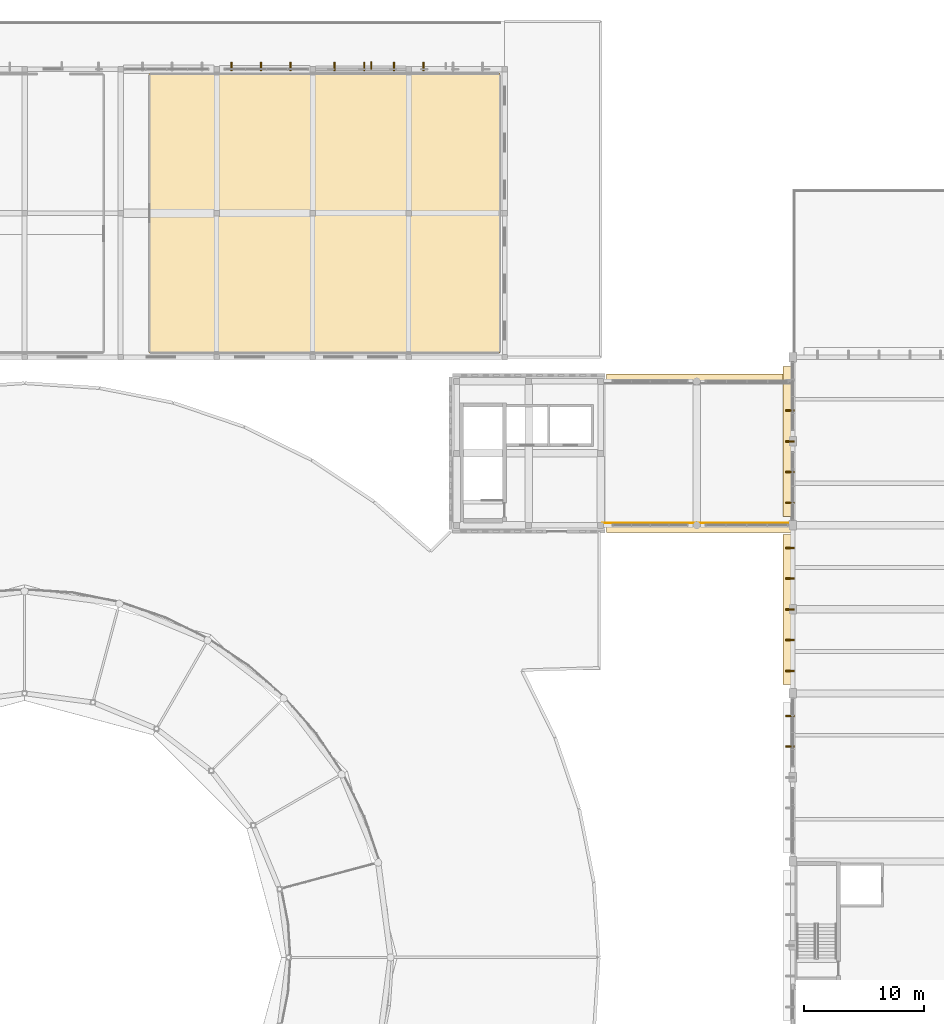
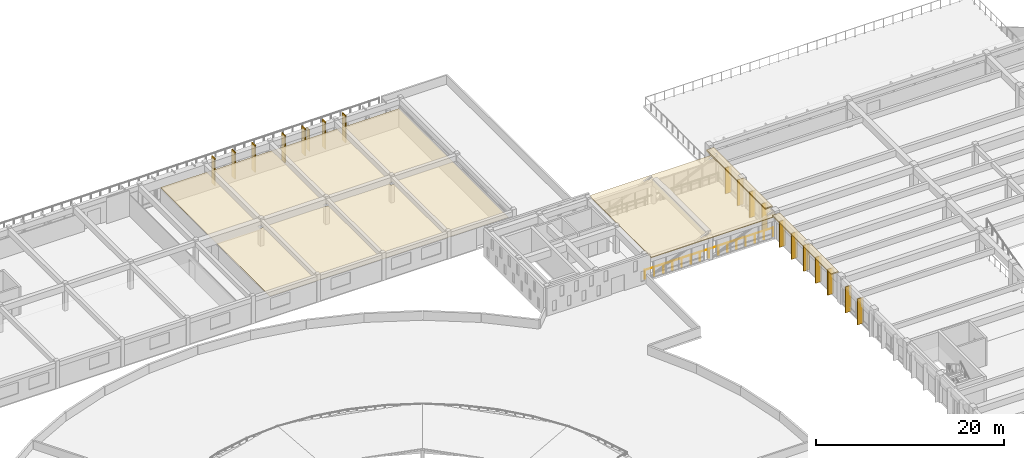
# One storey, part 70 of 77: 22 coverings, 1 railing, 1 shading device.
"""IFC4 building model written with IfcOpenShell, lengths in metres."""

from ifc_helpers import new_model, si_unit, direction, frame, origin, origin_2d, place, context, subcontext, project, spatial, polyline, rectangle, circle, outline, extrude, material, layer, layer_set, type_object, element, save


model = new_model("IFC4")

# Units and contexts
model_context = context("Model", 3, precision=1e-05, world=origin(), true_north=direction((0.0, 1.0)))
body_context = subcontext(model_context, "Body", "Model", "MODEL_VIEW")
ifc_project = project(units=[si_unit("LENGTHUNIT", "METRE"), si_unit("AREAUNIT", "SQUARE_METRE"), si_unit("VOLUMEUNIT", "CUBIC_METRE"), si_unit("PLANEANGLEUNIT", "RADIAN"), si_unit("MASSUNIT", "GRAM", prefix="KILO")], contexts=[model_context])

# Site, building, storey
site_placement = place(None, origin())
site = spatial("IfcSite", under=ifc_project, at=site_placement, CompositionType="ELEMENT")
building_placement = place(site_placement, origin())
building = spatial("IfcBuilding", under=site, at=building_placement, Name="Larkveld Mobility Hub", CompositionType="ELEMENT")
storey_placement = place(building_placement, frame((0.0, 0.0, 12.0)))
storey = spatial("IfcBuildingStorey", under=building, at=storey_placement, Name="L03", CompositionType="ELEMENT", Elevation=12.0)

# Coverings
ifc_material_1 = material(Name="Precast concrete C50/60", Category="concrete")
ifc_layer_1 = layer(ifc_material_1, 0.14990234375, Name="Precast concrete C50/60", Category="concrete")
ifc_layer_set_1 = layer_set([ifc_layer_1], Name="Precast concrete C50/60")
covering_type_1 = type_object("IfcCoveringType", Name="COV-QSL-H01", PredefinedType="CLADDING", material=ifc_layer_set_1)
for number, where, z_axis, x_axis, name in (
    (1, (111.659912109375, 77.0, 3.3701171875), (0.0, 0.0, 1.0), (0.0, -1.0, 0.0), "Precast Quebra-Sol Horizontal Sunbreaker QSH-518"),
    (2, (111.659912109375, 91.0, 3.3701171875), (0.0, 0.0, 1.0), (0.0, -1.0, 0.0), "Precast Quebra-Sol Horizontal Sunbreaker QSH-524"),
):
    element("IfcCovering", number, at=place(storey_placement, frame(where, z_axis=z_axis, x_axis=x_axis)), inside=storey, type_object=covering_type_1, Name=name, PredefinedType="CLADDING", context=body_context, shape_type="SweptSolid", body=[
        extrude(rectangle(XDim=12.5, YDim=0.919921875, at=origin_2d()), origin(), (0.0, 0.0, 1.0), 0.14990234375),
    ])
ifc_layer_2 = layer(ifc_material_1, 0.1201171875, Name="Precast concrete C50/60", Category="concrete")
ifc_layer_set_2 = layer_set([ifc_layer_2], Name="Precast concrete C50/60")
covering_type_2 = type_object("IfcCoveringType", Name="COV-QSL-V01", PredefinedType="CLADDING", material=ifc_layer_set_2)
for number, where, z_axis, x_axis, name in (
    (3, (70.1669921875, 122.239990234375, -0.02001953125), (0.0, 0.0, 1.0), (-1.0, 0.0, 0.0), "Precast Quebra-Sol Vertical Fin QSV-166"),
    (4, (67.699951171875, 122.239990234375, -0.02001953125), (0.0, 0.0, 1.0), (-1.0, 0.0, 0.0), "Precast Quebra-Sol Vertical Fin QSV-167"),
    (5, (65.23291015625, 122.239990234375, -0.02001953125), (0.0, 0.0, 1.0), (-1.0, 0.0, 0.0), "Precast Quebra-Sol Vertical Fin QSV-168"),
    (6, (81.23291015625, 122.239990234375, -0.02001953125), (0.0, 0.0, 1.0), (-1.0, 0.0, 0.0), "Precast Quebra-Sol Vertical Fin QSV-174"),
    (7, (78.76708984375, 122.239990234375, -0.02001953125), (0.0, 0.0, 1.0), (-1.0, 0.0, 0.0), "Precast Quebra-Sol Vertical Fin QSV-175"),
    (8, (76.300048828125, 122.239990234375, -0.02001953125), (0.0, 0.0, 1.0), (-1.0, 0.0, 0.0), "Precast Quebra-Sol Vertical Fin QSV-176"),
    (9, (73.8330078125, 122.239990234375, -0.02001953125), (0.0, 0.0, 1.0), (-1.0, 0.0, 0.0), "Precast Quebra-Sol Vertical Fin QSV-177"),
):
    element("IfcCovering", number, at=place(storey_placement, frame(where, z_axis=z_axis, x_axis=x_axis)), inside=storey, type_object=covering_type_2, Name=name, PredefinedType="CLADDING", context=body_context, shape_type="SweptSolid", body=[
        extrude(rectangle(XDim=0.1201171875, YDim=0.719970703125, at=origin_2d()), origin(), (0.0, 0.0, 1.0), 3.52001953125),
    ])
for number, where, z_axis, x_axis, name in (
    (10, (111.760009765625, 68.1201171875, -0.01953125), (0.0, 0.0, 1.0), (0.0, -1.0, 0.0), "Precast Quebra-Sol Vertical Fin QSV-513"),
    (11, (111.760009765625, 65.56005859375, -0.01953125), (0.0, 0.0, 1.0), (0.0, -1.0, 0.0), "Precast Quebra-Sol Vertical Fin QSV-514"),
    (12, (111.760009765625, 82.1201171875, -0.01953125), (0.0, 0.0, 1.0), (0.0, -1.0, 0.0), "Precast Quebra-Sol Vertical Fin QSV-519"),
    (13, (111.760009765625, 79.56005859375, -0.01953125), (0.0, 0.0, 1.0), (0.0, -1.0, 0.0), "Precast Quebra-Sol Vertical Fin QSV-520"),
    (14, (111.760009765625, 77.0, -0.01953125), (0.0, 0.0, 1.0), (0.0, -1.0, 0.0), "Precast Quebra-Sol Vertical Fin QSV-521"),
    (15, (111.760009765625, 74.43994140625, -0.01953125), (0.0, 0.0, 1.0), (0.0, -1.0, 0.0), "Precast Quebra-Sol Vertical Fin QSV-522"),
    (16, (111.760009765625, 71.8798828125, -0.01953125), (0.0, 0.0, 1.0), (0.0, -1.0, 0.0), "Precast Quebra-Sol Vertical Fin QSV-523"),
    (17, (111.760009765625, 93.56005859375, -0.01953125), (0.0, 0.0, 1.0), (0.0, -1.0, 0.0), "Precast Quebra-Sol Vertical Fin QSV-526"),
    (18, (111.760009765625, 91.0, -0.01953125), (0.0, 0.0, 1.0), (0.0, -1.0, 0.0), "Precast Quebra-Sol Vertical Fin QSV-527"),
    (19, (111.760009765625, 88.43994140625, -0.01953125), (0.0, 0.0, 1.0), (0.0, -1.0, 0.0), "Precast Quebra-Sol Vertical Fin QSV-528"),
    (20, (111.760009765625, 85.8798828125, -0.01953125), (0.0, 0.0, 1.0), (0.0, -1.0, 0.0), "Precast Quebra-Sol Vertical Fin QSV-529"),
):
    element("IfcCovering", number, at=place(storey_placement, frame(where, z_axis=z_axis, x_axis=x_axis)), inside=storey, type_object=covering_type_2, Name=name, PredefinedType="CLADDING", context=body_context, shape_type="SweptSolid", body=[
        extrude(rectangle(XDim=0.1201171875, YDim=0.719970703125, at=origin_2d()), origin(), (0.0, 0.0, 1.0), 3.375),
    ])
ifc_material_2 = material(Name="Standing-seam zinc-alume roofing", Category="aluminium")
ifc_layer_3 = layer(ifc_material_2, 0.080078125, Name="Standing-seam zinc-alume roofing", Category="aluminium")
ifc_layer_set_3 = layer_set([ifc_layer_3], Name="Standing-seam zinc-alume roofing")
covering_type_3 = type_object("IfcCoveringType", Name="COV-RFG-01", PredefinedType="ROOFING", material=ifc_layer_set_3)
covering_1_placement = place(storey_placement, frame((0.0, 0.0, 3.050048828125)))
element("IfcCovering", 21, at=covering_1_placement, inside=storey, type_object=covering_type_3, Name="Footbridge L03 Standing-Seam Roof", PredefinedType="ROOFING", context=body_context, shape_type="SweptSolid", body=[
    extrude(outline(polyline([(96.47998046875, 83.39990234375), (112.0, 83.39990234375), (112.0, 96.60009765625), (96.47998046875, 96.60009765625), (96.47998046875, 83.39990234375)])), origin(), (0.0, 0.0, 1.0), 0.079833984375),
])
ifc_material_3 = material(Name="Moisture-resistant gypsum board ceiling", Category="masonry")
ifc_layer_4 = layer(ifc_material_3, 0.02490234375, Name="Moisture-resistant gypsum board ceiling", Category="masonry")
ifc_layer_set_4 = layer_set([ifc_layer_4], Name="Moisture-resistant gypsum board ceiling")
covering_type_4 = type_object("IfcCoveringType", Name="CV-CLG-025", PredefinedType="CEILING", material=ifc_layer_set_4)
covering_2_placement = place(storey_placement, frame((0.0, 0.0, 2.324951171875)))
element("IfcCovering", 22, at=covering_2_placement, inside=storey, type_object=covering_type_4, Name="Community Transport Forum Conference Hall Acoustic Ceiling 041", PredefinedType="CEILING", context=body_context, shape_type="SweptSolid", body=[
    extrude(outline(polyline([(58.4169921875, 98.3701171875), (58.4140625, 98.37109375), (58.410888671875, 98.37109375), (58.408935546875, 98.3720703125), (58.406005859375, 98.3740234375), (58.403076171875, 98.375), (58.40087890625, 98.376953125), (58.39892578125, 98.37890625), (58.37890625, 98.39892578125), (58.376953125, 98.40087890625), (58.375, 98.403076171875), (58.3740234375, 98.406005859375), (58.3720703125, 98.408935546875), (58.37109375, 98.410888671875), (58.37109375, 98.4140625), (58.3701171875, 98.4169921875), (58.3701171875, 98.419921875), (58.376953125, 121.594970703125), (58.376953125, 121.597900390625), (58.3779296875, 121.60107421875), (58.37890625, 121.60400390625), (58.3798828125, 121.60693359375), (58.381103515625, 121.610107421875), (58.382080078125, 121.612060546875), (58.384033203125, 121.614013671875), (58.385986328125, 121.616943359375), (58.387939453125, 121.618896484375), (58.39111328125, 121.6201171875), (58.39306640625, 121.6220703125), (58.39599609375, 121.623046875), (58.39892578125, 121.6240234375), (58.40087890625, 121.625), (58.404052734375, 121.625), (58.406982421875, 121.625), (87.594970703125, 121.623046875), (87.597900390625, 121.623046875), (87.60107421875, 121.6220703125), (87.60400390625, 121.62109375), (87.60693359375, 121.6201171875), (87.610107421875, 121.618896484375), (87.612060546875, 121.617919921875), (87.614013671875, 121.615966796875), (87.616943359375, 121.614013671875), (87.618896484375, 121.612060546875), (87.6201171875, 121.60888671875), (87.6220703125, 121.60693359375), (87.623046875, 121.60400390625), (87.6240234375, 121.60107421875), (87.625, 121.59912109375), (87.625, 121.595947265625), (87.625, 121.593017578125), (87.623046875, 98.405029296875), (87.623046875, 98.402099609375), (87.6220703125, 98.39892578125), (87.62109375, 98.39599609375), (87.6201171875, 98.39306640625), (87.618896484375, 98.389892578125), (87.617919921875, 98.387939453125), (87.615966796875, 98.385986328125), (87.614013671875, 98.383056640625), (87.612060546875, 98.381103515625), (87.60888671875, 98.3798828125), (87.60693359375, 98.3779296875), (87.60400390625, 98.376953125), (87.60107421875, 98.3759765625), (87.59912109375, 98.375), (87.595947265625, 98.375), (87.593017578125, 98.375), (58.419921875, 98.3701171875), (58.4169921875, 98.3701171875)]), holes=[polyline([(63.77001953125, 109.77001953125), (64.22998046875, 109.77001953125), (64.22998046875, 110.22998046875), (63.77001953125, 110.22998046875), (63.77001953125, 109.77001953125)]), polyline([(71.77001953125, 110.22998046875), (71.77001953125, 109.77001953125), (72.22998046875, 109.77001953125), (72.22998046875, 110.22998046875), (71.77001953125, 110.22998046875)]), polyline([(79.77001953125, 110.22998046875), (79.77001953125, 109.77001953125), (80.22998046875, 109.77001953125), (80.22998046875, 110.22998046875), (79.77001953125, 110.22998046875)])]), origin(), (0.0, 0.0, 1.0), 0.025146484375),
])

# Railing
ifc_material_4 = material(Name="Galvanized Steel S355JR vehicle-deck guard", Category="steel")
railing_type = type_object("IfcRailingType", Name="RL-GRD-RMP", PredefinedType="GUARDRAIL", material=ifc_material_4)
railing_placement = place(storey_placement, frame((96.14990234375, 84.179931640625, 0.0)))
element("IfcRailing", 23, at=railing_placement, inside=storey, type_object=railing_type, Name="Footbridge L03 South Safety Rail L03-025", PredefinedType="GUARDRAIL", context=body_context, shape_type="SweptSolid", body=[
    extrude(circle(Radius=0.02392578125, at=origin_2d()), frame((0.0, 0.0, 1.1259765625), z_axis=(1.0, 0.0, 0.0), x_axis=(0.0, 1.0, 0.0)), (0.0, 0.0, 1.0), 15.7001953125),
    extrude(circle(Radius=0.02099609375, at=origin_2d()), origin(), (0.0, 0.0, 1.0), 1.101806640625),
    extrude(circle(Radius=0.02099609375, at=origin_2d()), frame((1.121337890625, 0.0, 0.0)), (0.0, 0.0, 1.0), 1.101806640625),
    extrude(circle(Radius=0.02099609375, at=origin_2d()), frame((2.242919921875, 0.0, 0.0)), (0.0, 0.0, 1.0), 1.101806640625),
    extrude(circle(Radius=0.02099609375, at=origin_2d()), frame((3.3642578125, 0.0, 0.0)), (0.0, 0.0, 1.0), 1.101806640625),
    extrude(circle(Radius=0.02099609375, at=origin_2d()), frame((4.48583984375, 0.0, 0.0)), (0.0, 0.0, 1.0), 1.101806640625),
    extrude(circle(Radius=0.02099609375, at=origin_2d()), frame((5.607177734375, 0.0, 0.0)), (0.0, 0.0, 1.0), 1.101806640625),
    extrude(circle(Radius=0.02099609375, at=origin_2d()), frame((6.728759765625, 0.0, 0.0)), (0.0, 0.0, 1.0), 1.101806640625),
    extrude(circle(Radius=0.02099609375, at=origin_2d()), frame((7.85009765625, 0.0, 0.0)), (0.0, 0.0, 1.0), 1.101806640625),
    extrude(circle(Radius=0.02099609375, at=origin_2d()), frame((8.971435546875, 0.0, 0.0)), (0.0, 0.0, 1.0), 1.101806640625),
    extrude(circle(Radius=0.02099609375, at=origin_2d()), frame((10.093017578125, 0.0, 0.0)), (0.0, 0.0, 1.0), 1.101806640625),
    extrude(circle(Radius=0.02099609375, at=origin_2d()), frame((11.21435546875, 0.0, 0.0)), (0.0, 0.0, 1.0), 1.101806640625),
    extrude(circle(Radius=0.02099609375, at=origin_2d()), frame((12.3359375, 0.0, 0.0)), (0.0, 0.0, 1.0), 1.101806640625),
    extrude(circle(Radius=0.02099609375, at=origin_2d()), frame((13.457275390625, 0.0, 0.0)), (0.0, 0.0, 1.0), 1.101806640625),
    extrude(circle(Radius=0.02099609375, at=origin_2d()), frame((14.578857421875, 0.0, 0.0)), (0.0, 0.0, 1.0), 1.101806640625),
    extrude(circle(Radius=0.02099609375, at=origin_2d()), frame((15.7001953125, 0.0, 0.0)), (0.0, 0.0, 1.0), 1.101806640625),
])

# Shading device
ifc_layer_5 = layer(ifc_material_1, 0.0849609375, Name="Precast concrete C50/60", Category="concrete")
ifc_layer_set_5 = layer_set([ifc_layer_5], Name="Precast concrete C50/60")
shading_device_type = type_object("IfcShadingDeviceType", Name="SHD-JAL-03", PredefinedType="JALOUSIE", material=ifc_layer_set_5)
shading_device_placement = place(storey_placement, frame((76.89404296875, 122.304931640625, 0.2998046875), z_axis=(0.0, 0.0, 1.0), x_axis=(1.0, 0.0, 0.0)))
element("IfcShadingDevice", 24, at=shading_device_placement, inside=storey, type_object=shading_device_type, Name="North Facade Sunshade Fin NF-062", PredefinedType="JALOUSIE", context=body_context, shape_type="SweptSolid", body=[
    extrude(rectangle(XDim=0.0849609375, YDim=0.64990234375, at=origin_2d()), origin(), (0.0, 0.0, 1.0), 2.760009765625),
])

save(model, "model.ifc")
